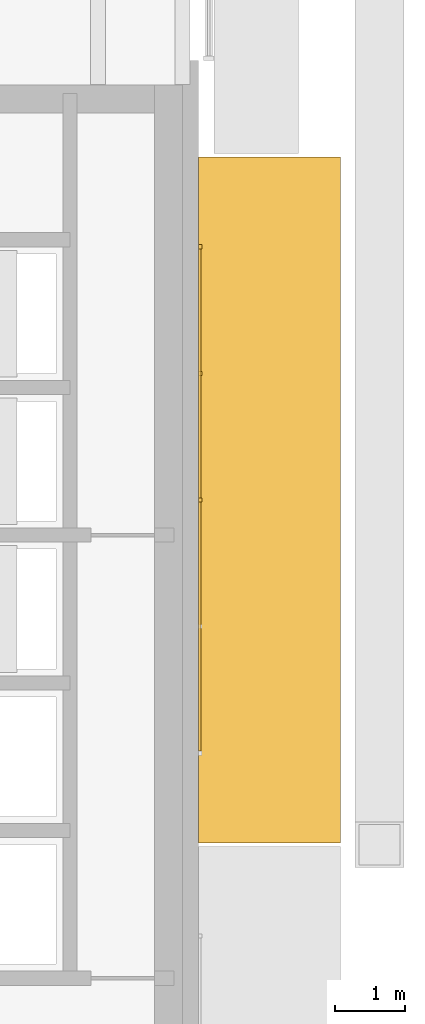
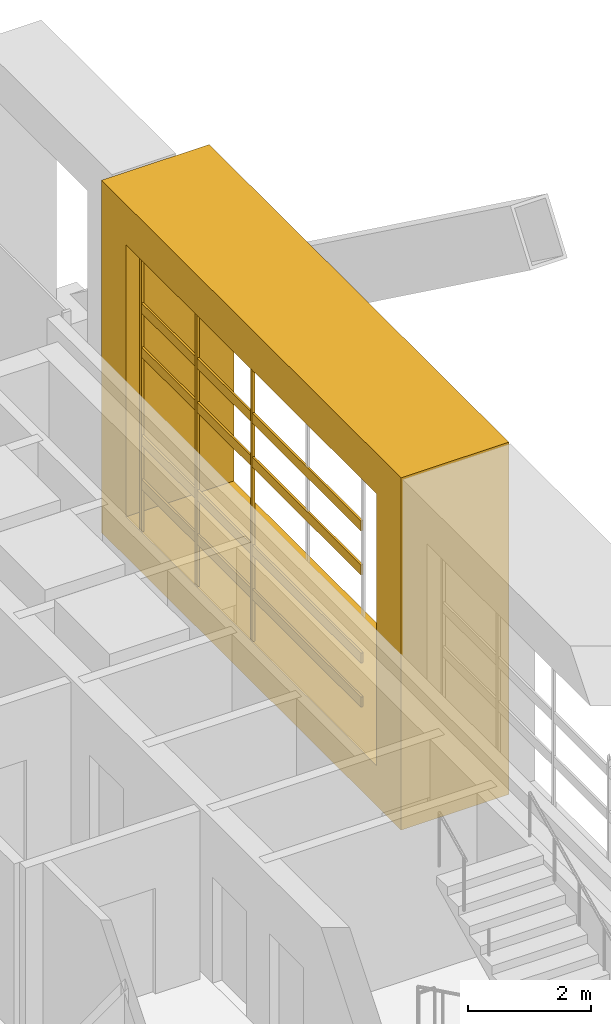
# One storey, part 19 of 21: 12 coverings.
"""IFC4 building model written with IfcOpenShell, lengths in metres."""

from ifc_helpers import new_model, si_unit, direction, frame, origin, origin_2d, place, context, subcontext, project, spatial, polyline, rectangle, outline, extrude, material, type_object, element, save


model = new_model("IFC4")

# Units and contexts
model_context = context("Model", 3, precision=1e-05, world=origin(), true_north=direction((0.0, 1.0)))
body_context = subcontext(model_context, "Body", "Model", "MODEL_VIEW")
ifc_project = project(units=[si_unit("LENGTHUNIT", "METRE"), si_unit("AREAUNIT", "SQUARE_METRE"), si_unit("VOLUMEUNIT", "CUBIC_METRE"), si_unit("PLANEANGLEUNIT", "RADIAN"), si_unit("MASSUNIT", "GRAM", prefix="KILO")], contexts=[model_context])

# Site, building, storey
site_placement = place(None, origin())
site = spatial("IfcSite", under=ifc_project, at=site_placement, CompositionType="ELEMENT")
building_placement = place(site_placement, origin())
building = spatial("IfcBuilding", under=site, at=building_placement, Name="Cobrizo Arcos Hotel Tower", CompositionType="ELEMENT")
storey_placement = place(building_placement, frame((0.0, 0.0, 276.0)))
storey = spatial("IfcBuildingStorey", under=building, at=storey_placement, Name="L73", CompositionType="ELEMENT", Elevation=276.0)

# Coverings
ifc_material_1 = material(Name="Aluminium 6063-T6 anodised bronze", Category="aluminium")
covering_type_1 = type_object("IfcCoveringType", Name="FIN-F 2025", PredefinedType="CLADDING", material=ifc_material_1)
covering_placement = place(storey_placement, frame((20.625, 0.02490234375, 0.0), z_axis=(1.0, 0.0, 0.0), x_axis=(0.0, 1.0, 0.0)))
element("IfcCovering", 1, at=covering_placement, inside=storey, type_object=covering_type_1, Name="Fin frame 401", PredefinedType="CLADDING", context=body_context, shape_type="SweptSolid", body=[
    extrude(outline(polyline([(0.0, 7.0), (0.0, 0.0), (9.75, 0.0), (9.75, 7.0), (0.0, 7.0)]), holes=[polyline([(8.949951171875, 0.800048828125), (0.800048828125, 0.800048828125), (0.800048828125, 6.199951171875), (8.949951171875, 6.199951171875), (8.949951171875, 0.800048828125)])]), origin(), (0.0, 0.0, 1.0), 2.02490234375),
])
ifc_material_2 = material(Name="Aluminium 6063-T6 anodised pale", Category="aluminium")
covering_type_2 = type_object("IfcCoveringType", Name="RS-2 rainscreen rib 60x50", PredefinedType="CLADDING", material=ifc_material_2)
for number, where, z_axis, x_axis, name in (
    (2, (20.64990234375, 4.89990234375, 0.800048828125), (0.0, 0.0, 1.0), (0.0, 1.0, 0.0), "Rainscreen rib 298"),
    (3, (20.64990234375, 6.699951171875, 0.800048828125), (0.0, 0.0, 1.0), (0.0, 1.0, 0.0), "Rainscreen rib 299"),
    (4, (20.64990234375, 8.5, 0.800048828125), (0.0, 0.0, 1.0), (0.0, 1.0, 0.0), "Rainscreen rib 300"),
):
    element("IfcCovering", number, at=place(storey_placement, frame(where, z_axis=z_axis, x_axis=x_axis)), inside=storey, type_object=covering_type_2, Name=name, PredefinedType="CLADDING", context=body_context, shape_type="SweptSolid", body=[
        extrude(rectangle(XDim=0.06005859375, YDim=0.050048828125, at=origin_2d()), origin(), (0.0, 0.0, 1.0), 5.39990234375),
    ])
covering_type_3 = type_object("IfcCoveringType", Name="RS-3 rainscreen louvre slat 200x40", PredefinedType="CLADDING", material=ifc_material_2)
for number, where, z_axis, x_axis, name in (
    (5, (20.64501953125, 3.10009765625, 1.64990234375), (0.0, 0.0, 1.0), (0.0, 1.0, 0.0), "Rainscreen slat 141"),
    (6, (20.64501953125, 3.10009765625, 2.52490234375), (0.0, 0.0, 1.0), (0.0, 1.0, 0.0), "Rainscreen slat 142"),
    (7, (20.64501953125, 6.699951171875, 1.64990234375), (0.0, 0.0, 1.0), (0.0, 1.0, 0.0), "Rainscreen slat 143"),
    (8, (20.64501953125, 6.699951171875, 2.52490234375), (0.0, 0.0, 1.0), (0.0, 1.0, 0.0), "Rainscreen slat 144"),
    (9, (20.64501953125, 3.10009765625, 4.27490234375), (0.0, 0.0, 1.0), (0.0, 1.0, 0.0), "Rainscreen slat 145"),
    (10, (20.64501953125, 3.10009765625, 5.14990234375), (0.0, 0.0, 1.0), (0.0, 1.0, 0.0), "Rainscreen slat 146"),
    (11, (20.64501953125, 6.699951171875, 4.27490234375), (0.0, 0.0, 1.0), (0.0, 1.0, 0.0), "Rainscreen slat 147"),
    (12, (20.64501953125, 6.699951171875, 5.14990234375), (0.0, 0.0, 1.0), (0.0, 1.0, 0.0), "Rainscreen slat 148"),
):
    element("IfcCovering", number, at=place(storey_placement, frame(where, z_axis=z_axis, x_axis=x_axis)), inside=storey, type_object=covering_type_3, Name=name, PredefinedType="CLADDING", context=body_context, shape_type="SweptSolid", body=[
        extrude(rectangle(XDim=3.5400390625, YDim=0.0400390625, at=origin_2d()), origin(), (0.0, 0.0, 1.0), 0.199951171875),
    ])

save(model, "model.ifc")
